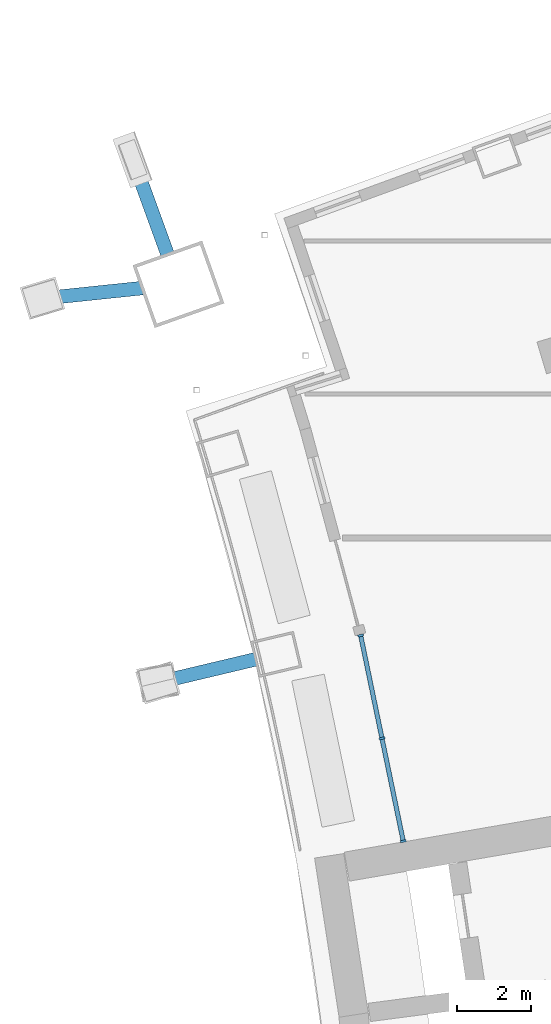
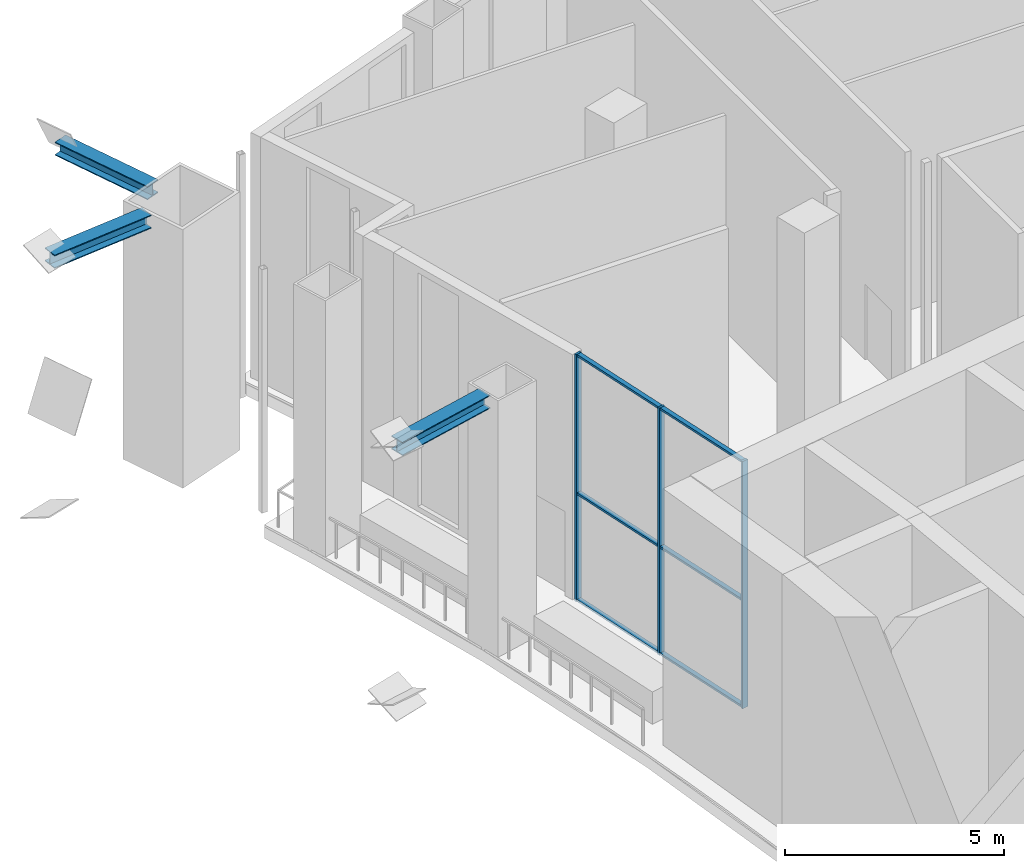
# One storey, part 12 of 27: 12 members, 1 element without a shape of its own.
"""IFC4 building model written with IfcOpenShell, lengths in metres."""

import ifcopenshell
import ifcopenshell.guid

model = None  # the IFC model being written
_history = None  # IfcOwnerHistory: only IFC2X3 demands one
_inside = {}  # id of a spatial element -> (the spatial element, [elements in it])
_under = {}  # id of a project, library or spatial element -> (it, [spatial elements below it])
_declared = {}  # id of a project -> (the project, [libraries it declares])
_typed = {}  # id of a type object -> (the type object, [elements of that type])
_made_of = {}  # id of a material, layer set ... -> (it, [elements and type objects made of it])


def new_model(schema):
    """Start an empty IFC model of exactly this schema.

    Asked for "IFC4X3", IfcOpenShell would pick the latest addendum, in which some entities
    have other attributes; the version numbers below select the first issue.
    IFC2X3 requires an IfcOwnerHistory on every rooted entity: one is made here for all.
    """
    global model, _history
    if schema == "IFC4X3":
        model = ifcopenshell.file(schema_version=(4, 3, 0, 0))
    else:
        model = ifcopenshell.file(schema=schema)
    _inside.clear()
    _under.clear()
    _declared.clear()
    _typed.clear()
    _made_of.clear()
    _history = None
    if model.schema == "IFC2X3":
        org = make("IfcOrganization", Name="unknown")
        user = make(
            "IfcPersonAndOrganization",
            ThePerson=make("IfcPerson", FamilyName="unknown"),
            TheOrganization=org,
        )
        app = make(
            "IfcApplication",
            ApplicationDeveloper=org,
            Version="unknown",
            ApplicationFullName="unknown",
            ApplicationIdentifier="unknown",
        )
        _history = make(
            "IfcOwnerHistory",
            OwningUser=user,
            OwningApplication=app,
            ChangeAction="ADDED",
            CreationDate=0,
        )
    return model


def make(cls, **values):
    """One entity of the class cls with the attributes given. An attribute that is None is left unset."""
    return model.create_entity(
        cls, **{name: value for name, value in values.items() if value is not None}
    )


def rooted(cls, **values):
    """An entity with a GlobalId (a new one), such as an element, a storey or a relation."""
    return make(cls, GlobalId=ifcopenshell.guid.new(), OwnerHistory=_history, **values)


def si_unit(unit_type, name, prefix=None):
    """IfcSIUnit, for example si_unit("LENGTHUNIT", "METRE", prefix="MILLI")."""
    return make("IfcSIUnit", UnitType=unit_type, Prefix=prefix, Name=name)


def assignment(units):
    """IfcUnitAssignment: the units of a project."""
    return None if units is None else make("IfcUnitAssignment", Units=units)


def point(xyz):
    """IfcCartesianPoint."""
    return None if xyz is None else make("IfcCartesianPoint", Coordinates=xyz)


def direction(xyz):
    """IfcDirection."""
    return None if xyz is None else make("IfcDirection", DirectionRatios=xyz)


def frame(location, z_axis=None, x_axis=None):
    """IfcAxis2Placement3D, a coordinate frame: its origin and axes. An axis left out is left unset."""
    return make(
        "IfcAxis2Placement3D",
        Location=point(location),
        Axis=direction(z_axis),
        RefDirection=direction(x_axis),
    )


def frame_2d(location, x_axis=None):
    """IfcAxis2Placement2D, a coordinate frame in the plane: its origin and x axis."""
    return make(
        "IfcAxis2Placement2D", Location=point(location), RefDirection=direction(x_axis)
    )


def origin():
    """The frame at (0, 0, 0) with its axes left unset."""
    return frame((0.0, 0.0, 0.0))


def origin_2d():
    """The frame at (0, 0) in the plane with its x axis left unset."""
    return frame_2d((0.0, 0.0))


def place(relative_to, where):
    """IfcLocalPlacement: puts the frame where relative to a parent placement (None: the world)."""
    return make(
        "IfcLocalPlacement", PlacementRelTo=relative_to, RelativePlacement=where
    )


def context(
    kind, dimensions, precision=None, world=None, true_north=None, identifier=None
):
    """IfcGeometricRepresentationContext, for example the 3D "Model" context."""
    return make(
        "IfcGeometricRepresentationContext",
        ContextIdentifier=identifier,
        ContextType=kind,
        CoordinateSpaceDimension=dimensions,
        Precision=precision,
        WorldCoordinateSystem=world,
        TrueNorth=true_north,
    )


def subcontext(parent, identifier, kind, view, scale=None):
    """IfcGeometricRepresentationSubContext, for example "Body" below "Model"."""
    return make(
        "IfcGeometricRepresentationSubContext",
        ContextIdentifier=identifier,
        ContextType=kind,
        ParentContext=parent,
        TargetScale=scale,
        TargetView=view,
    )


def project(units=None, contexts=None):
    """IfcProject with its units and contexts."""
    return rooted(
        "IfcProject",
        Name="project",
        RepresentationContexts=contexts,
        UnitsInContext=assignment(units),
    )


def spatial(cls, under=None, at=None, **own):
    """A site, building, storey or space (cls), placed at a placement, below another one or the project."""
    s = rooted(cls, ObjectPlacement=at, **own)
    if under is not None:
        _under.setdefault(under.id(), (under, []))[1].append(s)
    return s


def profile(cls, at=None, kind="AREA", **sizes):
    """A parametric profile (cls). Its sizes go by their IFC names, for example OverallWidth=200.0."""
    return make(cls, ProfileType=kind, Position=at, **sizes)


def rectangle(**sizes):
    """IfcRectangleProfileDef."""
    return profile("IfcRectangleProfileDef", **sizes)


def i_section(**sizes):
    """IfcIShapeProfileDef."""
    return profile("IfcIShapeProfileDef", **sizes)


def extrude(swept, where, along, depth):
    """IfcExtrudedAreaSolid: the profile swept, set in the frame where, extruded along a direction by depth."""
    return make(
        "IfcExtrudedAreaSolid",
        SweptArea=swept,
        Position=where,
        ExtrudedDirection=direction(along),
        Depth=depth,
    )


def shape(context_of_items, identifier, shape_type, items):
    """IfcShapeRepresentation: the items that make up one representation, for example the "Body"."""
    return make(
        "IfcShapeRepresentation",
        ContextOfItems=context_of_items,
        RepresentationIdentifier=identifier,
        RepresentationType=shape_type,
        Items=items,
    )


def material(Name=None, Category=None):
    """IfcMaterial."""
    return make("IfcMaterial", Name=Name, Category=Category)


def layer(
    of_material, thickness, ventilated=None, Name=None, Category=None, Priority=None
):
    """IfcMaterialLayer: one layer of a wall or slab, of a material (None: an air gap)."""
    return make(
        "IfcMaterialLayer",
        Material=of_material,
        LayerThickness=thickness,
        IsVentilated=ventilated,
        Name=Name,
        Category=Category,
        Priority=Priority,
    )


def layer_set(layers, Name=None):
    """IfcMaterialLayerSet."""
    return make("IfcMaterialLayerSet", MaterialLayers=layers, LayerSetName=Name)


def material_profile(
    of_material, cross_section, Name=None, Category=None, Priority=None
):
    """IfcMaterialProfile: a cross section and its material."""
    return make(
        "IfcMaterialProfile",
        Name=Name,
        Material=of_material,
        Profile=cross_section,
        Priority=Priority,
        Category=Category,
    )


def profile_set(profiles, Name=None, composite=None):
    """IfcMaterialProfileSet."""
    return make(
        "IfcMaterialProfileSet",
        Name=Name,
        MaterialProfiles=profiles,
        CompositeProfile=composite,
    )


def made_of(thing, what):
    """Note that an element or type object is made of a material, layer set ...; save() writes the relation."""
    if what is not None:
        _made_of.setdefault(what.id(), (what, []))[1].append(thing)
    return thing


def type_object(cls, material=None, **own):
    """A type object (cls), such as IfcWallType, which elements share."""
    return made_of(rooted(cls, **own), material)


def element(
    cls,
    number,
    at=None,
    inside=None,
    cuts=None,
    type_object=None,
    material=None,
    context=None,
    identifier="Body",
    shape_type=None,
    held_by="IfcProductDefinitionShape",
    body=None,
    shapes=None,
    **own,
):
    """One element of the class cls, such as IfcWall. Its Tag is "e" and its number.

    at: its placement. inside: the storey or other place that contains it. cuts: it is an
    opening in that element (IfcRelVoidsElement). A single representation is given by context,
    identifier, shape_type and body (its items); several are given by shapes. held_by: the class
    of the entity that holds the representations. save() writes the other relations.
    """
    e = rooted(cls, Tag="e%d" % number, ObjectPlacement=at, **own)
    if body is not None:
        shapes = [shape(context, identifier, shape_type, body)]
    if shapes is not None:
        e.Representation = make(held_by, Representations=shapes)
    if inside is not None:
        _inside.setdefault(inside.id(), (inside, []))[1].append(e)
    if cuts is not None:
        rooted(
            "IfcRelVoidsElement", RelatingBuildingElement=cuts, RelatedOpeningElement=e
        )
    if type_object is not None:
        _typed.setdefault(type_object.id(), (type_object, []))[1].append(e)
    return made_of(e, material)


def aggregate(whole, parts):
    """IfcRelAggregates: a whole, such as a stair, and the parts it consists of."""
    return rooted("IfcRelAggregates", RelatingObject=whole, RelatedObjects=parts)


def save(model, path):
    """Write the relations noted so far, then the file.

    IfcRelAggregates (storeys below a building ...), IfcRelContainedInSpatialStructure (elements
    in a storey), IfcRelDefinesByType, IfcRelAssociatesMaterial and IfcRelDeclares: one each for
    every whole, place, type object, material and project.
    """
    for whole, parts in _under.values():
        aggregate(whole, parts)
    for where, things in _inside.values():
        rooted(
            "IfcRelContainedInSpatialStructure",
            RelatedElements=things,
            RelatingStructure=where,
        )
    for kind, things in _typed.values():
        rooted("IfcRelDefinesByType", RelatedObjects=things, RelatingType=kind)
    for what, things in _made_of.values():
        rooted("IfcRelAssociatesMaterial", RelatedObjects=things, RelatingMaterial=what)
    for by, libraries in _declared.values():
        rooted("IfcRelDeclares", RelatingContext=by, RelatedDefinitions=libraries)
    model.write(path)


model = new_model("IFC4")

# Units and contexts
model_context = context("Model", 3, precision=1e-05, world=origin(), true_north=direction((0.0, 1.0)))
body_context = subcontext(model_context, "Body", "Model", "MODEL_VIEW")
ifc_project = project(units=[si_unit("LENGTHUNIT", "METRE"), si_unit("AREAUNIT", "SQUARE_METRE"), si_unit("VOLUMEUNIT", "CUBIC_METRE"), si_unit("PLANEANGLEUNIT", "RADIAN"), si_unit("MASSUNIT", "GRAM", prefix="KILO")], contexts=[model_context])

# Site, building, storey
site_placement = place(None, origin())
site = spatial("IfcSite", under=ifc_project, at=site_placement, CompositionType="ELEMENT")
building_placement = place(site_placement, origin())
building = spatial("IfcBuilding", under=site, at=building_placement, Name="Alderwake Tower", CompositionType="ELEMENT")
storey_placement = place(building_placement, frame((0.0, 0.0, 75.199951171875)))
storey = spatial("IfcBuildingStorey", under=building, at=storey_placement, Name="L18", CompositionType="ELEMENT", Elevation=75.199951171875)

# Members
ifc_material_1 = material(Name="Steel ASTM A992 Grade 50", Category="steel")
ifc_material_profile_1 = material_profile(ifc_material_1, i_section(OverallWidth=0.3740234375, OverallDepth=0.372314453125, WebThickness=0.016357421875, FlangeThickness=0.026123046875, at=origin_2d()), Name="W14X132")
ifc_profile_set_1 = profile_set([ifc_material_profile_1], Name="Steel ASTM A992 Grade 50")
member_type_1 = type_object("IfcMemberType", Name="Brace node stub W14X132", PredefinedType="MEMBER", material=ifc_profile_set_1)
member_1_placement = place(storey_placement, frame((13.447021484375, 83.208740234375, 6.993896484375), z_axis=(-0.972907100996, -0.231196394506, 0.0), x_axis=(0.231196394506, -0.972907100996, 0.0)))
element("IfcMember", 1, at=member_1_placement, inside=storey, type_object=member_type_1, Name="Brace node stub BS.RR11-C0.824", PredefinedType="MEMBER", context=body_context, shape_type="SweptSolid", body=[
    extrude(i_section(OverallWidth=0.3740234375, OverallDepth=0.372314453125, WebThickness=0.016357421875, FlangeThickness=0.026123046875, at=origin_2d()), origin(), (0.0, 0.0, 1.0), 2.749755859375),
])
member_2_placement = place(storey_placement, frame((10.357421875, 93.275634765625, 6.993896484375), z_axis=(-0.994599183003, -0.103790486891, 0.0), x_axis=(0.103790486891, -0.994599183003, 0.0)))
element("IfcMember", 2, at=member_2_placement, inside=storey, type_object=member_type_1, Name="Brace node stub BS.RR13-C0.824", PredefinedType="MEMBER", context=body_context, shape_type="SweptSolid", body=[
    extrude(i_section(OverallWidth=0.3740234375, OverallDepth=0.372314453125, WebThickness=0.016357421875, FlangeThickness=0.026123046875, at=origin_2d()), origin(), (0.0, 0.0, 1.0), 2.728515625),
])
member_3_placement = place(storey_placement, frame((11.040283203125, 94.176025390625, 6.993896484375), z_axis=(-0.341785786119, 0.939777886741, 0.0), x_axis=(-0.939777886741, -0.341785786119, 0.0)))
element("IfcMember", 3, at=member_3_placement, inside=storey, type_object=member_type_1, Name="Brace node stub BS.NR13-C0.824", PredefinedType="MEMBER", context=body_context, shape_type="SweptSolid", body=[
    extrude(i_section(OverallWidth=0.3740234375, OverallDepth=0.372314453125, WebThickness=0.016357421875, FlangeThickness=0.026123046875, at=origin_2d()), origin(), (0.0, 0.0, 1.0), 2.7529296875),
])

# Curtain wall, members
ifc_material_2 = material(Name="Bronze tinted glass in aluminium frame", Category="aluminium")
ifc_layer = layer(ifc_material_2, 0.199951171875)
ifc_layer_set = layer_set([ifc_layer], Name="Curtain wall CW3 sky garden glazing")
curtain_wall_type = type_object("IfcCurtainWallType", Name="Curtain wall CW3 sky garden glazing", PredefinedType="NOTDEFINED", material=ifc_layer_set)
curtain_wall_placement = place(storey_placement, origin())
curtain_wall = element("IfcCurtainWall", 4, at=curtain_wall_placement, inside=storey, type_object=curtain_wall_type, Name="Curtain wall 1", PredefinedType="NOTDEFINED")
ifc_material_3 = material(Name="Aluminium bronze anodised", Category="aluminium")
ifc_material_profile_2 = material_profile(ifc_material_3, rectangle(XDim=0.159912109375, YDim=0.06005859375, at=origin_2d()), Name="Mullion MUC 60x160")
ifc_profile_set_2 = profile_set([ifc_material_profile_2], Name="Aluminium bronze anodised")
member_type_2 = type_object("IfcMemberType", Name="Mullion MUC 60x160", PredefinedType="MULLION", material=ifc_profile_set_2)
member_4_placement = place(storey_placement, frame((16.27490234375, 83.8486328125, 0.0), z_axis=(0.0, 0.0, 1.0), x_axis=(0.979230349484, 0.202750888158, 0.0)))
member_4 = element("IfcMember", 5, at=member_4_placement, type_object=member_type_2, Name="CW.01 mullion 1", PredefinedType="MULLION", context=body_context, shape_type="SweptSolid", body=[
    extrude(rectangle(XDim=0.159912109375, YDim=0.06005859375, at=origin_2d()), origin(), (0.0, 0.0, 1.0), 6.880126953125),
])
member_5_placement = place(storey_placement, frame((16.8525390625, 81.05859375, 0.0), z_axis=(0.0, 0.0, 1.0), x_axis=(0.979230349484, 0.202750888158, 0.0)))
member_5 = element("IfcMember", 6, at=member_5_placement, type_object=member_type_2, Name="CW.01 mullion 2", PredefinedType="MULLION", context=body_context, shape_type="SweptSolid", body=[
    extrude(rectangle(XDim=0.159912109375, YDim=0.06005859375, at=origin_2d()), origin(), (0.0, 0.0, 1.0), 6.880126953125),
])
member_6_placement = place(storey_placement, frame((17.430419921875, 78.2685546875, 0.0), z_axis=(0.0, 0.0, 1.0), x_axis=(0.979230349484, 0.202750888158, 0.0)))
member_6 = element("IfcMember", 7, at=member_6_placement, type_object=member_type_2, Name="CW.01 mullion 3", PredefinedType="MULLION", context=body_context, shape_type="SweptSolid", body=[
    extrude(rectangle(XDim=0.159912109375, YDim=0.06005859375, at=origin_2d()), origin(), (0.0, 0.0, 1.0), 6.880126953125),
])
ifc_material_4 = material(Name="Aluminium bronze anodised", Category="aluminium")
ifc_material_profile_3 = material_profile(ifc_material_4, rectangle(XDim=0.1201171875, YDim=0.06005859375, at=origin_2d()), Name="Transom TRC 60x120")
ifc_profile_set_3 = profile_set([ifc_material_profile_3], Name="Aluminium bronze anodised")
member_type_3 = type_object("IfcMemberType", Name="Transom TRC 60x120", PredefinedType="USERDEFINED", material=ifc_profile_set_3)
member_7_placement = place(storey_placement, frame((16.281005859375, 83.819091796875, 0.030029296875), z_axis=(0.202811104602, -0.979217879662, 0.0), x_axis=(0.979217879662, 0.202811104602, 0.0)))
member_7 = element("IfcMember", 8, at=member_7_placement, type_object=member_type_3, Name="CW.01 transom 1.1", ObjectType="TRANSOM", PredefinedType="USERDEFINED", context=body_context, shape_type="SweptSolid", body=[
    extrude(rectangle(XDim=0.1201171875, YDim=0.06005859375, at=origin_2d()), origin(), (0.0, 0.0, 1.0), 2.7890625),
])
member_8_placement = place(storey_placement, frame((16.281005859375, 83.819091796875, 3.0), z_axis=(0.202811104602, -0.979217879662, 0.0), x_axis=(0.979217879662, 0.202811104602, 0.0)))
member_8 = element("IfcMember", 9, at=member_8_placement, type_object=member_type_3, Name="CW.01 transom 1.2", ObjectType="TRANSOM", PredefinedType="USERDEFINED", context=body_context, shape_type="SweptSolid", body=[
    extrude(rectangle(XDim=0.1201171875, YDim=0.06005859375, at=origin_2d()), origin(), (0.0, 0.0, 1.0), 2.7890625),
])
member_9_placement = place(storey_placement, frame((16.281005859375, 83.819091796875, 6.85009765625), z_axis=(0.202811104602, -0.979217879662, 0.0), x_axis=(0.979217879662, 0.202811104602, 0.0)))
member_9 = element("IfcMember", 10, at=member_9_placement, type_object=member_type_3, Name="CW.01 transom 1.3", ObjectType="TRANSOM", PredefinedType="USERDEFINED", context=body_context, shape_type="SweptSolid", body=[
    extrude(rectangle(XDim=0.1201171875, YDim=0.06005859375, at=origin_2d()), origin(), (0.0, 0.0, 1.0), 2.7890625),
])
member_10_placement = place(storey_placement, frame((16.858642578125, 81.029052734375, 0.030029296875), z_axis=(0.202811104602, -0.979217879662, 0.0), x_axis=(0.979217879662, 0.202811104602, 0.0)))
member_10 = element("IfcMember", 11, at=member_10_placement, type_object=member_type_3, Name="CW.01 transom 2.1", ObjectType="TRANSOM", PredefinedType="USERDEFINED", context=body_context, shape_type="SweptSolid", body=[
    extrude(rectangle(XDim=0.1201171875, YDim=0.06005859375, at=origin_2d()), origin(), (0.0, 0.0, 1.0), 2.7890625),
])
member_11_placement = place(storey_placement, frame((16.858642578125, 81.029052734375, 3.0), z_axis=(0.202811104602, -0.979217879662, 0.0), x_axis=(0.979217879662, 0.202811104602, 0.0)))
member_11 = element("IfcMember", 12, at=member_11_placement, type_object=member_type_3, Name="CW.01 transom 2.2", ObjectType="TRANSOM", PredefinedType="USERDEFINED", context=body_context, shape_type="SweptSolid", body=[
    extrude(rectangle(XDim=0.1201171875, YDim=0.06005859375, at=origin_2d()), origin(), (0.0, 0.0, 1.0), 2.7890625),
])
member_12_placement = place(storey_placement, frame((16.858642578125, 81.029052734375, 6.85009765625), z_axis=(0.202811104602, -0.979217879662, 0.0), x_axis=(0.979217879662, 0.202811104602, 0.0)))
member_12 = element("IfcMember", 13, at=member_12_placement, type_object=member_type_3, Name="CW.01 transom 2.3", ObjectType="TRANSOM", PredefinedType="USERDEFINED", context=body_context, shape_type="SweptSolid", body=[
    extrude(rectangle(XDim=0.1201171875, YDim=0.06005859375, at=origin_2d()), origin(), (0.0, 0.0, 1.0), 2.7890625),
])
aggregate(curtain_wall, [member_4, member_5, member_6, member_7, member_8, member_9, member_10, member_11, member_12])

save(model, "model.ifc")
